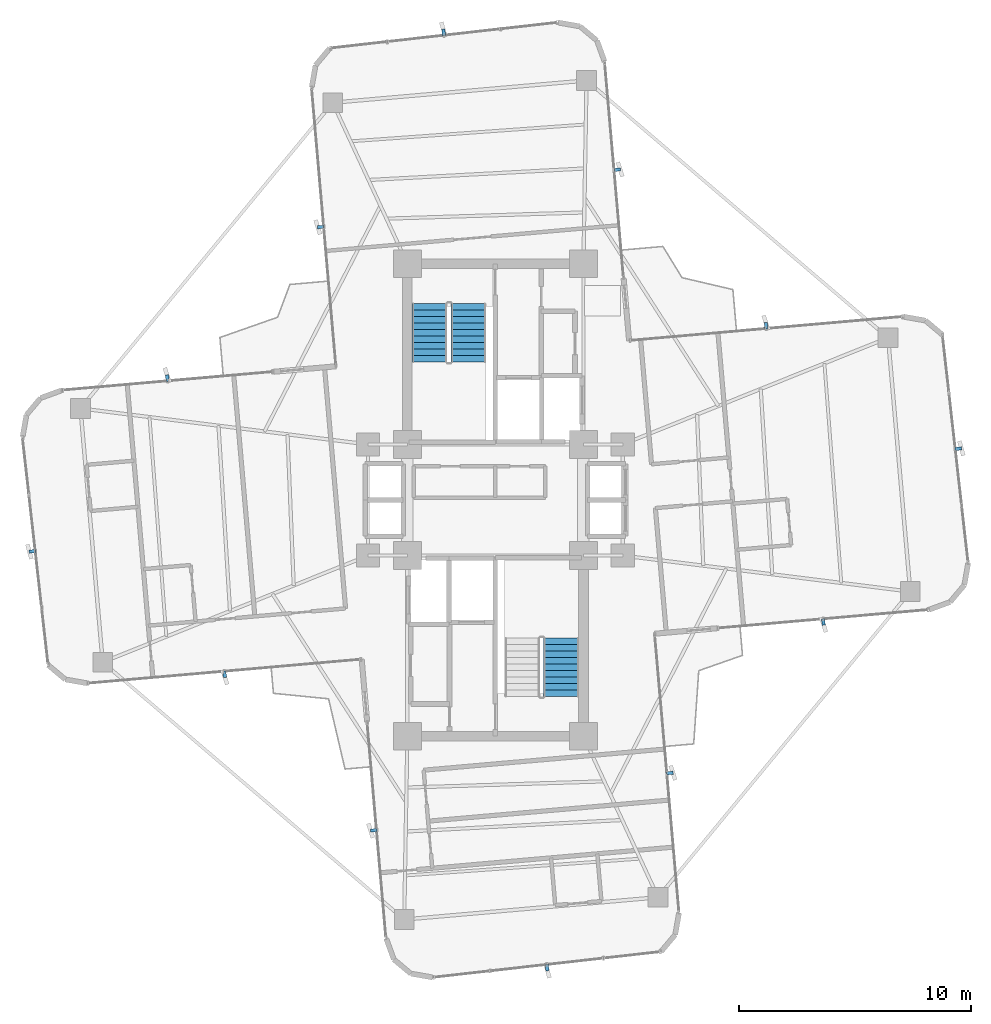
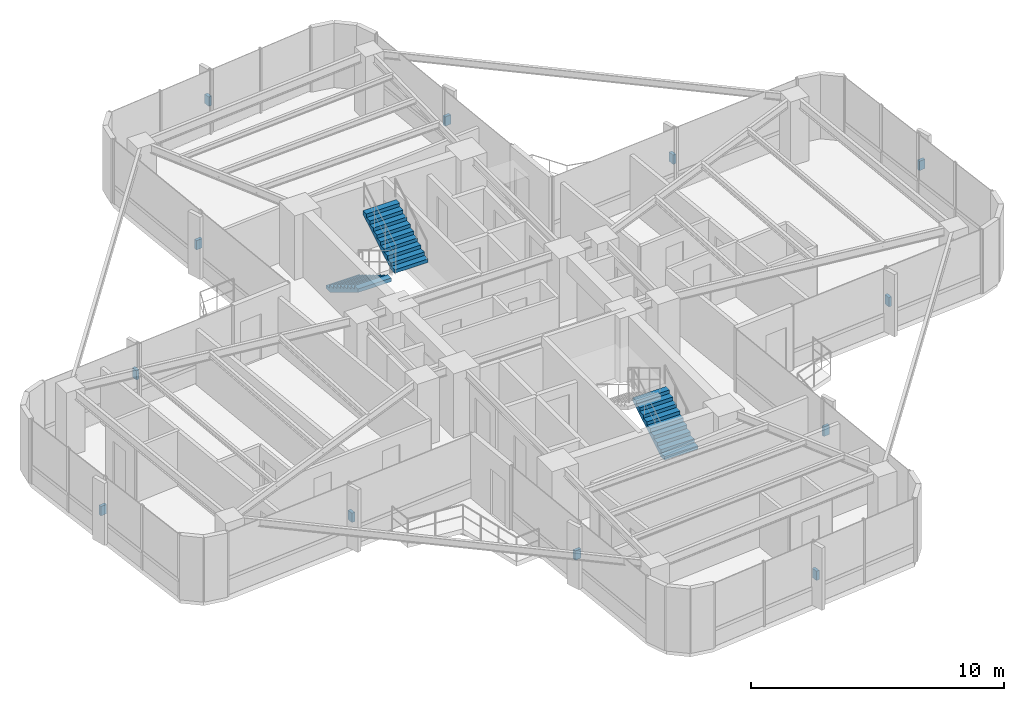
# One storey, part 23 of 24: 12 discrete accessories, 3 stair flights, 2 elements without a shape of their own.
"""IFC4 building model written with IfcOpenShell, lengths in metres."""

from ifc_helpers import new_model, si_unit, direction, frame, origin, origin_2d, place, context, subcontext, project, spatial, polyline, rectangle, outline, extrude, source, transform, mapped, material, type_object, element, aggregate, save


model = new_model("IFC4")

# Units and contexts
model_context = context("Model", 3, precision=1e-05, world=origin(), true_north=direction((0.0, 1.0)))
body_context = subcontext(model_context, "Body", "Model", "MODEL_VIEW")
ifc_project = project(units=[si_unit("LENGTHUNIT", "METRE"), si_unit("AREAUNIT", "SQUARE_METRE"), si_unit("VOLUMEUNIT", "CUBIC_METRE"), si_unit("PLANEANGLEUNIT", "RADIAN"), si_unit("MASSUNIT", "GRAM", prefix="KILO")], contexts=[model_context])

# Site, building, storey
site_placement = place(None, origin())
site = spatial("IfcSite", under=ifc_project, at=site_placement, CompositionType="ELEMENT")
building_placement = place(site_placement, origin())
building = spatial("IfcBuilding", under=site, at=building_placement, Name="Sahyath Konkavel Grand Hotel", CompositionType="ELEMENT")
storey_placement = place(building_placement, frame((0.0, 0.0, 147.25)))
storey = spatial("IfcBuildingStorey", under=building, at=storey_placement, Name="L40", CompositionType="ELEMENT", Elevation=147.25)

# Stair, stair flights
ifc_material_1 = material(Name="Concrete C40/50", Category="concrete")
stair_type = type_object("IfcStairType", Name="STR-ST16-335", PredefinedType="HALF_TURN_STAIR", material=ifc_material_1)
stair_1_placement = place(storey_placement, origin())
stair_1 = element("IfcStair", 1, at=stair_1_placement, inside=storey, type_object=stair_type, Name="L40 North Core Smokeproof Exit Stair ST-1", PredefinedType="HALF_TURN_STAIR")
stair_flight_type = type_object("IfcStairFlightType", Name="STF-ST16-335", PredefinedType="STRAIGHT", material=ifc_material_1)
stair_flight_1_placement = place(storey_placement, frame((-2.840087890625, 8.47998046875, 0.0), z_axis=(0.0, 0.0, 1.0), x_axis=(0.0, -1.0, 0.0)))
stair_flight_1 = element("IfcStairFlight", 2, at=stair_flight_1_placement, type_object=stair_flight_type, Name="ST-1 flight 1", NumberOfRisers=10, NumberOfTreads=9, PredefinedType="STRAIGHT", RiserHeight=0.1675, TreadLength=0.28, context=body_context, shape_type="SweptSolid", body=[
    extrude(outline(polyline([(0.0, 0.0), (0.0, 0.16748046875), (0.280029296875, 0.16748046875), (0.280029296875, 0.3349609375), (0.56005859375, 0.3349609375), (0.56005859375, 0.50244140625), (0.840087890625, 0.50244140625), (0.840087890625, 0.669921875), (1.1201171875, 0.669921875), (1.1201171875, 0.83740234375), (1.39990234375, 0.83740234375), (1.39990234375, 1.0048828125), (1.679931640625, 1.0048828125), (1.679931640625, 1.172607421875), (1.9599609375, 1.172607421875), (1.9599609375, 1.340087890625), (2.239990234375, 1.340087890625), (2.239990234375, 1.507568359375), (2.52001953125, 1.507568359375), (2.52001953125, 1.675048828125), (2.52001953125, 1.332763671875), (0.2919921875, 0.0), (0.0, 0.0)])), frame((0.0, 0.760009765625, 0.0), z_axis=(0.0, -1.0, 0.0), x_axis=(1.0, 0.0, 0.0)), (0.0, 0.0, 1.0), 1.52001953125),
])
stair_flight_2_placement = place(storey_placement, frame((-1.159912109375, 5.9599609375, 1.675048828125), z_axis=(0.0, 0.0, 1.0), x_axis=(0.0, 1.0, 0.0)))
stair_flight_2 = element("IfcStairFlight", 3, at=stair_flight_2_placement, type_object=stair_flight_type, Name="ST-1 flight 2", NumberOfRisers=10, NumberOfTreads=9, PredefinedType="STRAIGHT", RiserHeight=0.1675, TreadLength=0.28, context=body_context, shape_type="SweptSolid", body=[
    extrude(outline(polyline([(0.0, 0.0), (0.0, 0.16748046875), (0.280029296875, 0.16748046875), (0.280029296875, 0.3349609375), (0.56005859375, 0.3349609375), (0.56005859375, 0.50244140625), (0.840087890625, 0.50244140625), (0.840087890625, 0.669921875), (1.1201171875, 0.669921875), (1.1201171875, 0.83740234375), (1.39990234375, 0.83740234375), (1.39990234375, 1.0048828125), (1.679931640625, 1.0048828125), (1.679931640625, 1.172607421875), (1.9599609375, 1.172607421875), (1.9599609375, 1.340087890625), (2.239990234375, 1.340087890625), (2.239990234375, 1.507568359375), (2.52001953125, 1.507568359375), (2.52001953125, 1.675048828125), (2.52001953125, 1.332763671875), (0.2919921875, 0.0), (0.0, 0.0)])), frame((0.0, 0.760009765625, 0.0), z_axis=(0.0, -1.0, 0.0), x_axis=(1.0, 0.0, 0.0)), (0.0, 0.0, 1.0), 1.52001953125),
])
aggregate(stair_1, [stair_flight_1, stair_flight_2])

# Stair, stair flight
stair_2_placement = place(storey_placement, origin())
stair_2 = element("IfcStair", 4, at=stair_2_placement, inside=storey, type_object=stair_type, Name="L40 South Core Smokeproof Exit Stair ST-2", PredefinedType="HALF_TURN_STAIR")
stair_flight_3_placement = place(storey_placement, frame((2.840087890625, -8.47998046875, 0.0), z_axis=(0.0, 0.0, 1.0), x_axis=(0.0, 1.0, 0.0)))
stair_flight_3 = element("IfcStairFlight", 5, at=stair_flight_3_placement, type_object=stair_flight_type, Name="ST-2 flight 1", NumberOfRisers=10, NumberOfTreads=9, PredefinedType="STRAIGHT", RiserHeight=0.1675, TreadLength=0.28, context=body_context, shape_type="SweptSolid", body=[
    extrude(outline(polyline([(0.0, 0.0), (0.0, 0.16748046875), (0.280029296875, 0.16748046875), (0.280029296875, 0.3349609375), (0.56005859375, 0.3349609375), (0.56005859375, 0.50244140625), (0.840087890625, 0.50244140625), (0.840087890625, 0.669921875), (1.1201171875, 0.669921875), (1.1201171875, 0.83740234375), (1.39990234375, 0.83740234375), (1.39990234375, 1.0048828125), (1.679931640625, 1.0048828125), (1.679931640625, 1.172607421875), (1.9599609375, 1.172607421875), (1.9599609375, 1.340087890625), (2.239990234375, 1.340087890625), (2.239990234375, 1.507568359375), (2.52001953125, 1.507568359375), (2.52001953125, 1.675048828125), (2.52001953125, 1.332763671875), (0.2919921875, 0.0), (0.0, 0.0)])), frame((0.0, 0.760009765625, 0.0), z_axis=(0.0, -1.0, 0.0), x_axis=(1.0, 0.0, 0.0)), (0.0, 0.0, 1.0), 1.52001953125),
])
aggregate(stair_2, [stair_flight_3])

# Discrete accessories
ifc_material_2 = material(Name="Steel E350", Category="steel")
discrete_accessory_type = type_object("IfcDiscreteAccessoryType", Name="ACC-FIN-BRACKET", PredefinedType="BRACKET", material=ifc_material_2)
shared_shape = source(origin(), body_context, "Body", "SweptSolid", [
    extrude(rectangle(XDim=0.280029296875, YDim=0.139892578125, at=origin_2d()), origin(), (0.0, 0.0, 1.0), 0.449951171875),
])
for number, where, z_axis, x_axis, name in (
    (6, (14.162841796875, -5.265625, 1.330078125), (0.0, 0.0, 1.0), (0.087155742748, -0.996194698092, 0.0), "L40 Fin Support Bracket F0-1"),
    (7, (19.989013671875, 2.21630859375, 1.330078125), (0.0, 0.0, 1.0), (0.993709417943, 0.111989252568, 0.0), "L40 Fin Support Bracket F4-2"),
    (8, (11.6884765625, 7.52734375, 1.330078125), (0.0, 0.0, 1.0), (-0.087155742748, 0.996194698092, 0.0), "L40 Fin Support Bracket F7-1"),
    (9, (5.2568359375, 14.262451171875, 1.330078125), (0.0, 0.0, 1.0), (0.996194698092, 0.087155742748, 0.0), "L40 Fin Support Bracket F8-1"),
    (10, (-2.23388671875, 20.188232421875, 1.330078125), (0.0, 0.0, 1.0), (-0.112006596052, 0.993707463211, 0.0), "L40 Fin Support Bracket F12-2"),
    (11, (-7.5361328125, 11.7880859375, 1.330078125), (0.0, 0.0, 1.0), (-0.996194698092, -0.087155742748, 0.0), "L40 Fin Support Bracket F15-1"),
    (12, (-14.162841796875, 5.265625, 1.330078125), (0.0, 0.0, 1.0), (-0.087155742748, 0.996194698092, 0.0), "L40 Fin Support Bracket F16-1"),
    (13, (-19.989013671875, -2.21630859375, 1.330078125), (0.0, 0.0, 1.0), (-0.993709417943, -0.111989252568, 0.0), "L40 Fin Support Bracket F20-2"),
    (14, (-11.6884765625, -7.52734375, 1.330078125), (0.0, 0.0, 1.0), (0.087155742748, -0.996194698092, 0.0), "L40 Fin Support Bracket F23-1"),
    (15, (-5.2568359375, -14.262451171875, 1.330078125), (0.0, 0.0, 1.0), (-0.996194698092, -0.087155742748, 0.0), "L40 Fin Support Bracket F24-1"),
    (16, (2.23388671875, -20.188232421875, 1.330078125), (0.0, 0.0, 1.0), (0.112006596052, -0.993707463211, 0.0), "L40 Fin Support Bracket F28-2"),
    (17, (7.5361328125, -11.7880859375, 1.330078125), (0.0, 0.0, 1.0), (0.996194698092, 0.087155742748, 0.0), "L40 Fin Support Bracket F31-1"),
):
    element("IfcDiscreteAccessory", number, at=place(storey_placement, frame(where, z_axis=z_axis, x_axis=x_axis)), inside=storey, type_object=discrete_accessory_type, Name=name, PredefinedType="BRACKET", context=body_context, shape_type="MappedRepresentation", body=[
        mapped(shared_shape, transform((0.0, 0.0, 0.0), scale=1.0)),
    ])

save(model, "model.ifc")
